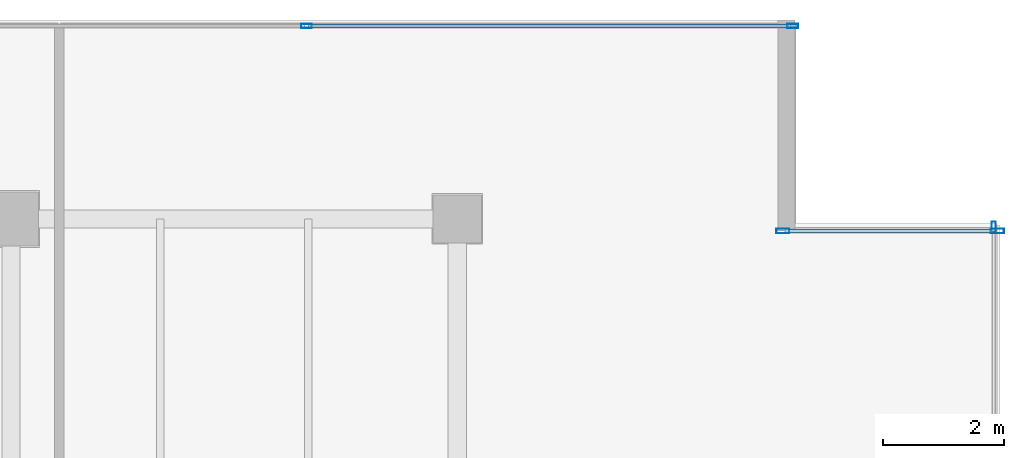
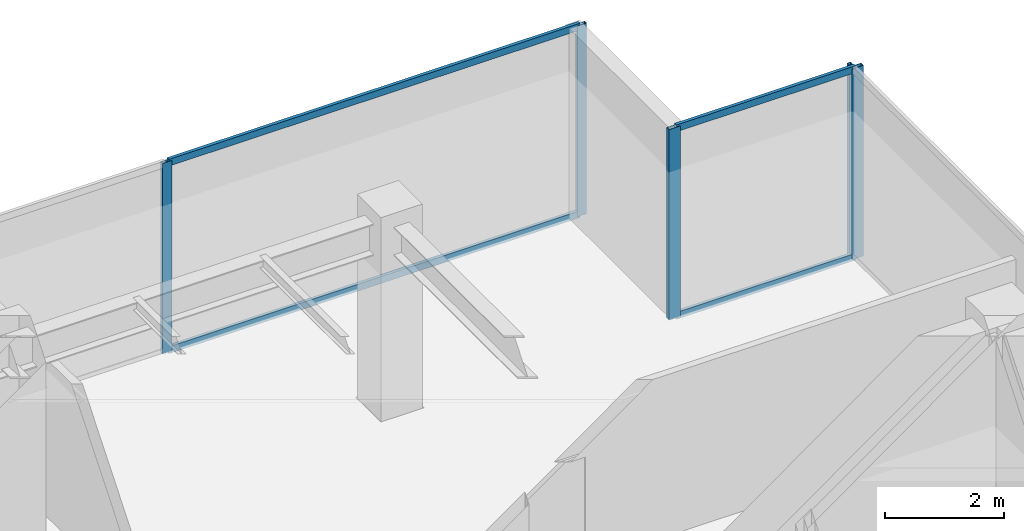
# One storey, part 25 of 34: 9 members, 3 elements without a shape of their own.
"""IFC4 building model written with IfcOpenShell, lengths in metres."""

from ifc_helpers import new_model, si_unit, direction, frame, origin, origin_2d, place, context, subcontext, project, spatial, hollow_rectangle, extrude, source, transform, mapped, material, layer, layer_set, material_profile, profile_set, type_object, type_shapes, element, aggregate, save


model = new_model("IFC4")

# Units and contexts
model_context = context("Model", 3, precision=1e-05, world=origin(), true_north=direction((0.0, 1.0)))
body_context = subcontext(model_context, "Body", "Model", "MODEL_VIEW")
ifc_project = project(units=[si_unit("LENGTHUNIT", "METRE"), si_unit("AREAUNIT", "SQUARE_METRE"), si_unit("VOLUMEUNIT", "CUBIC_METRE"), si_unit("PLANEANGLEUNIT", "RADIAN"), si_unit("MASSUNIT", "GRAM", prefix="KILO")], contexts=[model_context])

# Site, building, storey
site_placement = place(None, origin())
site = spatial("IfcSite", under=ifc_project, at=site_placement, CompositionType="ELEMENT")
building_placement = place(site_placement, origin())
building = spatial("IfcBuilding", under=site, at=building_placement, Name="Haelvirn Gate Laboratories", CompositionType="ELEMENT")
storey_placement = place(building_placement, frame((0.0, 0.0, 322.800048828125)))
storey = spatial("IfcBuildingStorey", under=building, at=storey_placement, Name="L77", CompositionType="ELEMENT", Elevation=322.800048828125)

# Curtain wall, members
ifc_material_1 = material(Name="Anodised bronze unitised aluminium & triple low-E glass", Category="aluminium")
ifc_layer_1 = layer(ifc_material_1, 0.181884765625, Name="CW-SYS-5")
ifc_layer_set_1 = layer_set([ifc_layer_1], Name="Anodised bronze unitised aluminium & triple low-E glass")
curtain_wall_type_1 = type_object("IfcCurtainWallType", Name="CW-SYS-5", PredefinedType="NOTDEFINED", material=ifc_layer_set_1)
curtain_wall_1_placement = place(storey_placement, origin())
curtain_wall_1 = element("IfcCurtainWall", 1, at=curtain_wall_1_placement, inside=storey, type_object=curtain_wall_type_1, Name="L77 Unitised Curtain Wall CW-L77-P0-E08-1", PredefinedType="NOTDEFINED")
ifc_material_2 = material(Name="Extruded aluminium 6063-T6 (anodised bronze)", Category="aluminium")
ifc_material_profile_1 = material_profile(ifc_material_2, hollow_rectangle(XDim=0.06494140625, YDim=0.139892578125, WallThickness=0.00390625, at=origin_2d()), Name="CWT-140x65x4")
ifc_profile_set_1 = profile_set([ifc_material_profile_1], Name="Extruded aluminium 6063-T6 (anodised bronze)")
member_type_1 = type_object("IfcMemberType", Name="CWT-T140", PredefinedType="USERDEFINED", material=ifc_profile_set_1)
shared_shape_1 = source(origin(), body_context, "Body", "SweptSolid", [
    extrude(hollow_rectangle(XDim=0.06494140625, YDim=0.139892578125, WallThickness=0.00390625, at=origin_2d()), origin(), (0.0, 0.0, 1.0), 3.47998046875),
])
member_1_placement = place(storey_placement, frame((65.43994140625, 41.39990234375, 0.032470703125), z_axis=(1.0, 0.0, 0.0), x_axis=(0.0, 1.0, 0.0)))
member_1 = element("IfcMember", 2, at=member_1_placement, type_object=member_type_1, Name="CW5 transom 1.1", ObjectType="TRANSOM", PredefinedType="USERDEFINED", context=body_context, shape_type="MappedRepresentation", body=[
    mapped(shared_shape_1, transform((0.0, 0.0, 0.0), scale=1.0)),
])
member_2_placement = place(storey_placement, frame((65.43994140625, 41.39990234375, 3.887451171875), z_axis=(1.0, 0.0, 0.0), x_axis=(0.0, 1.0, 0.0)))
member_2 = element("IfcMember", 3, at=member_2_placement, type_object=member_type_1, Name="CW5 transom 1.2", ObjectType="TRANSOM", PredefinedType="USERDEFINED", context=body_context, shape_type="MappedRepresentation", body=[
    mapped(shared_shape_1, transform((0.0, 0.0, 0.0), scale=1.0)),
])

ifc_layer_2 = layer(ifc_material_1, 0.176025390625, Name="CW-SYS-4")
ifc_layer_set_2 = layer_set([ifc_layer_2], Name="Anodised bronze unitised aluminium & triple low-E glass")
curtain_wall_type_2 = type_object("IfcCurtainWallType", Name="CW-SYS-4", PredefinedType="NOTDEFINED", material=ifc_layer_set_2)
curtain_wall_2_placement = place(storey_placement, origin())
curtain_wall_2 = element("IfcCurtainWall", 4, at=curtain_wall_2_placement, inside=storey, type_object=curtain_wall_type_2, Name="L77 Unitised Curtain Wall CW-L77-P0-E10-1", PredefinedType="NOTDEFINED")
shared_shape_2 = source(origin(), body_context, "Body", "SweptSolid", [
    extrude(hollow_rectangle(XDim=0.06494140625, YDim=0.139892578125, WallThickness=0.00390625, at=origin_2d()), origin(), (0.0, 0.0, 1.0), 7.9951171875),
])
type_shapes(member_type_1, [shared_shape_1, shared_shape_2])
member_3_placement = place(storey_placement, frame((57.534912109375, 44.800048828125, 0.032470703125), z_axis=(1.0, 0.0, 0.0), x_axis=(0.0, 1.0, 0.0)))
member_3 = element("IfcMember", 5, at=member_3_placement, type_object=member_type_1, Name="CW4 transom 2.1", ObjectType="TRANSOM", PredefinedType="USERDEFINED", context=body_context, shape_type="MappedRepresentation", body=[
    mapped(shared_shape_2, transform((0.0, 0.0, 0.0), scale=1.0)),
])
member_4_placement = place(storey_placement, frame((57.534912109375, 44.800048828125, 3.887451171875), z_axis=(1.0, 0.0, 0.0), x_axis=(0.0, 1.0, 0.0)))
member_4 = element("IfcMember", 6, at=member_4_placement, type_object=member_type_1, Name="CW4 transom 2.2", ObjectType="TRANSOM", PredefinedType="USERDEFINED", context=body_context, shape_type="MappedRepresentation", body=[
    mapped(shared_shape_2, transform((0.0, 0.0, 0.0), scale=1.0)),
])

# Curtain wall, member
curtain_wall_3_placement = place(storey_placement, origin())
curtain_wall_3 = element("IfcCurtainWall", 7, at=curtain_wall_3_placement, inside=storey, type_object=curtain_wall_type_2, Name="L77 Unitised Curtain Wall CW-L77-P0-E07", PredefinedType="NOTDEFINED")
ifc_material_profile_2 = material_profile(ifc_material_2, hollow_rectangle(XDim=0.070068359375, YDim=0.179931640625, WallThickness=0.0048828125, at=origin_2d()), Name="CWM-180x70x5")
ifc_profile_set_2 = profile_set([ifc_material_profile_2], Name="Extruded aluminium 6063-T6 (anodised bronze)")
member_type_2 = type_object("IfcMemberType", Name="CWM-T180", PredefinedType="MULLION", material=ifc_profile_set_2)
shared_shape_3 = source(origin(), body_context, "Body", "SweptSolid", [
    extrude(hollow_rectangle(XDim=0.070068359375, YDim=0.179931640625, WallThickness=0.0048828125, at=origin_2d()), origin(), (0.0, 0.0, 1.0), 3.919921875),
])
type_shapes(member_type_2, [shared_shape_3])
member_5_placement = place(storey_placement, frame((68.89990234375, 41.465087890625, 0.0), z_axis=(0.0, 0.0, 1.0), x_axis=(-1.0, 0.0, 0.0)))
member_5 = element("IfcMember", 8, at=member_5_placement, type_object=member_type_2, Name="CW4 mullion 3", PredefinedType="MULLION", context=body_context, shape_type="MappedRepresentation", body=[
    mapped(shared_shape_3, transform((0.0, 0.0, 0.0), scale=1.0)),
])
aggregate(curtain_wall_3, [member_5])

# Member
member_6_placement = place(storey_placement, frame((57.5, 44.800048828125, 0.0), z_axis=(0.0, 0.0, 1.0), x_axis=(0.0, 1.0, 0.0)))
member_6 = element("IfcMember", 9, at=member_6_placement, type_object=member_type_2, Name="CW4 mullion 2", PredefinedType="MULLION", context=body_context, shape_type="MappedRepresentation", body=[
    mapped(shared_shape_3, transform((0.0, 0.0, 0.0), scale=1.0)),
])

member_7_placement = place(storey_placement, frame((65.56494140625, 44.800048828125, 0.0), z_axis=(0.0, 0.0, 1.0), x_axis=(0.0, 1.0, 0.0)))
member_7 = element("IfcMember", 10, at=member_7_placement, type_object=member_type_2, Name="CW4 mullion 3", PredefinedType="MULLION", context=body_context, shape_type="MappedRepresentation", body=[
    mapped(shared_shape_3, transform((0.0, 0.0, 0.0), scale=1.0)),
])

aggregate(curtain_wall_2, [member_6, member_7, member_3, member_4])

ifc_material_profile_3 = material_profile(ifc_material_2, hollow_rectangle(XDim=0.080078125, YDim=0.219970703125, WallThickness=0.006103515625, at=origin_2d()), Name="CWM-220x80x6")
ifc_profile_set_3 = profile_set([ifc_material_profile_3], Name="Extruded aluminium 6063-T6 (anodised bronze)")
member_type_3 = type_object("IfcMemberType", Name="CWM-T220", PredefinedType="MULLION", material=ifc_profile_set_3)
shared_shape_4 = source(origin(), body_context, "Body", "SweptSolid", [
    extrude(hollow_rectangle(XDim=0.080078125, YDim=0.219970703125, WallThickness=0.006103515625, at=origin_2d()), origin(), (0.0, 0.0, 1.0), 3.919921875),
])
type_shapes(member_type_3, [shared_shape_4])
member_8_placement = place(storey_placement, frame((65.39990234375, 41.39990234375, 0.0), z_axis=(0.0, 0.0, 1.0), x_axis=(0.0, 1.0, 0.0)))
member_8 = element("IfcMember", 11, at=member_8_placement, type_object=member_type_3, Name="CW5 mullion 1", PredefinedType="MULLION", context=body_context, shape_type="MappedRepresentation", body=[
    mapped(shared_shape_4, transform((0.0, 0.0, 0.0), scale=1.0)),
])

member_9_placement = place(storey_placement, frame((68.9599609375, 41.39990234375, 0.0), z_axis=(0.0, 0.0, 1.0), x_axis=(0.0, 1.0, 0.0)))
member_9 = element("IfcMember", 12, at=member_9_placement, type_object=member_type_3, Name="CW5 mullion 2", PredefinedType="MULLION", context=body_context, shape_type="MappedRepresentation", body=[
    mapped(shared_shape_4, transform((0.0, 0.0, 0.0), scale=1.0)),
])

aggregate(curtain_wall_1, [member_8, member_9, member_1, member_2])

save(model, "model.ifc")
